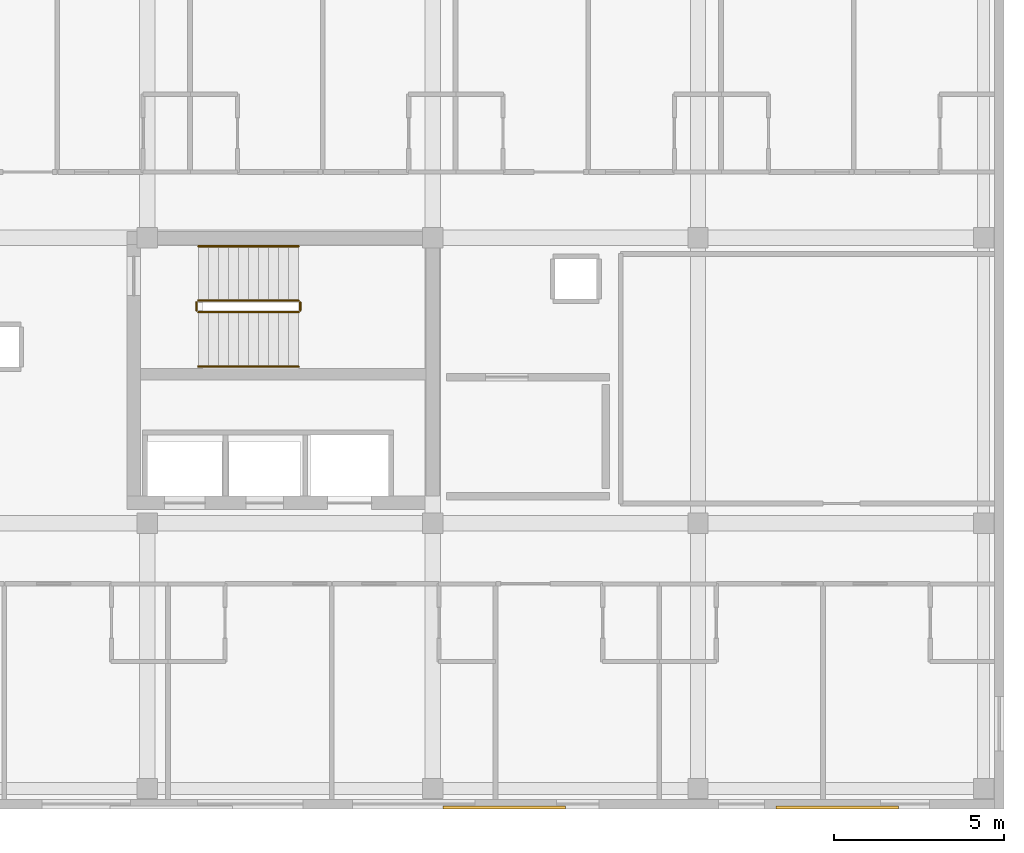
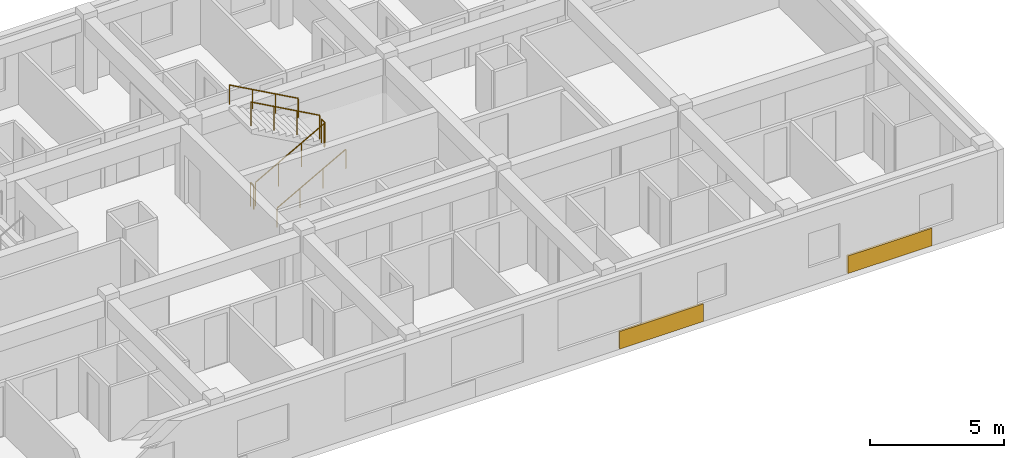
# One storey, part 9 of 9: 6 railings, 2 coverings.
"""IFC4 building model written with IfcOpenShell, lengths in metres."""

from ifc_helpers import new_model, si_unit, direction, frame, origin, origin_2d, place, context, subcontext, project, spatial, rectangle, circle, extrude, material, layer, layer_set, type_object, element, save


model = new_model("IFC4")

# Units and contexts
model_context = context("Model", 3, precision=1e-05, world=origin(), true_north=direction((0.0, 1.0)))
body_context = subcontext(model_context, "Body", "Model", "MODEL_VIEW")
ifc_project = project(units=[si_unit("LENGTHUNIT", "METRE"), si_unit("AREAUNIT", "SQUARE_METRE"), si_unit("VOLUMEUNIT", "CUBIC_METRE"), si_unit("PLANEANGLEUNIT", "RADIAN"), si_unit("MASSUNIT", "GRAM", prefix="KILO")], contexts=[model_context])

# Site, building, storey
site_placement = place(None, origin())
site = spatial("IfcSite", under=ifc_project, at=site_placement, CompositionType="ELEMENT")
building_placement = place(site_placement, origin())
building = spatial("IfcBuilding", under=site, at=building_placement, Name="Zayran Congress Hotel", CompositionType="ELEMENT")
storey_placement = place(building_placement, frame((0.0, 0.0, 37.199951171875)))
storey = spatial("IfcBuildingStorey", under=building, at=storey_placement, Name="L09", CompositionType="ELEMENT", Elevation=37.199951171875)

# Coverings
ifc_material_1 = material(Name="Ochre geometric bas-relief Hajar Ma'ani stone", Category="masonry")
ifc_layer = layer(ifc_material_1, 0.090087890625)
ifc_layer_set = layer_set([ifc_layer], Name="Ochre geometric bas-relief Hajar Ma'ani stone")
covering_type = type_object("IfcCoveringType", Name="TP-CLD-01", PredefinedType="CLADDING", material=ifc_layer_set)
for number, where, z_axis, x_axis, name in (
    (1, (60.89990234375, 8.844970703125, 0.0), (0.0, 0.0, 1.0), (1.0, 0.0, 0.0), "CLD-V5S-L09-4"),
    (2, (70.699951171875, 8.844970703125, 0.0), (0.0, 0.0, 1.0), (1.0, 0.0, 0.0), "CLD-V5S-L09-5"),
):
    element("IfcCovering", number, at=place(storey_placement, frame(where, z_axis=z_axis, x_axis=x_axis)), inside=storey, type_object=covering_type, Name=name, PredefinedType="CLADDING", context=body_context, shape_type="SweptSolid", body=[
        extrude(rectangle(XDim=3.60009765625, YDim=0.090087890625, at=origin_2d()), origin(), (0.0, 0.0, 1.0), 0.800048828125),
    ])

# Railings
ifc_material_2 = material(Name="Painted steel balustrade", Category="steel")
railing_type_1 = type_object("IfcRailingType", Name="TP-GRD-INT", PredefinedType="GUARDRAIL", material=ifc_material_2)
railing_1_placement = place(storey_placement, frame((51.89990234375, 23.409912109375, 0.16357421875)))
element("IfcRailing", 3, at=railing_1_placement, inside=storey, type_object=railing_type_1, Name="L09 ST-02 stair guard 1", PredefinedType="GUARDRAIL", context=body_context, shape_type="SweptSolid", body=[
    extrude(circle(Radius=0.02392578125, at=origin_2d()), frame((0.0, 0.0, 1.076171875), z_axis=(0.87447454536, 0.0, 0.485071406616), x_axis=(0.0, 1.0, 0.0)), (0.0, 0.0, 1.0), 3.373779296875),
    extrude(circle(Radius=0.02099609375, at=origin_2d()), origin(), (0.0, 0.0, 1.0), 1.052001953125),
    extrude(circle(Radius=0.02099609375, at=origin_2d()), frame((0.9833984375, 0.0, 0.54541015625)), (0.0, 0.0, 1.0), 1.052001953125),
    extrude(circle(Radius=0.02099609375, at=origin_2d()), frame((1.966796875, 0.0, 1.091064453125)), (0.0, 0.0, 1.0), 1.052001953125),
    extrude(circle(Radius=0.02099609375, at=origin_2d()), frame((2.9501953125, 0.0, 1.636474609375)), (0.0, 0.0, 1.0), 1.052001953125),
])
railing_2_placement = place(storey_placement, frame((54.89990234375, 23.4599609375, 1.800048828125)))
element("IfcRailing", 4, at=railing_2_placement, inside=storey, type_object=railing_type_1, Name="L09 ST-02 stair guard 2", PredefinedType="GUARDRAIL", context=body_context, shape_type="SweptSolid", body=[
    extrude(circle(Radius=0.02392578125, at=origin_2d()), frame((0.0, 0.0, 1.076171875), z_axis=(0.0, 1.0, 0.0), x_axis=(-1.0, 0.0, 0.0)), (0.0, 0.0, 1.0), 0.239990234375),
    extrude(circle(Radius=0.02099609375, at=origin_2d()), origin(), (0.0, 0.0, 1.0), 1.052001953125),
    extrude(circle(Radius=0.02099609375, at=origin_2d()), frame((0.0, 0.239990234375, 0.0)), (0.0, 0.0, 1.0), 1.052001953125),
])
railing_3_placement = place(storey_placement, frame((54.85009765625, 23.75, 1.963623046875)))
element("IfcRailing", 5, at=railing_3_placement, inside=storey, type_object=railing_type_1, Name="L09 ST-02 stair guard 3", PredefinedType="GUARDRAIL", context=body_context, shape_type="SweptSolid", body=[
    extrude(circle(Radius=0.02392578125, at=origin_2d()), frame((0.0, 0.0, 1.076171875), z_axis=(-0.87447454536, 0.0, 0.485071406616), x_axis=(0.0, -1.0, 0.0)), (0.0, 0.0, 1.0), 3.373779296875),
    extrude(circle(Radius=0.02099609375, at=origin_2d()), origin(), (0.0, 0.0, 1.0), 1.052001953125),
    extrude(circle(Radius=0.02099609375, at=origin_2d()), frame((-0.9833984375, 0.0, 0.54541015625)), (0.0, 0.0, 1.0), 1.052001953125),
    extrude(circle(Radius=0.02099609375, at=origin_2d()), frame((-1.966796875, 0.0, 1.091064453125)), (0.0, 0.0, 1.0), 1.052001953125),
    extrude(circle(Radius=0.02099609375, at=origin_2d()), frame((-2.9501953125, 0.0, 1.636474609375)), (0.0, 0.0, 1.0), 1.052001953125),
])
railing_4_placement = place(storey_placement, frame((51.85009765625, 23.4599609375, 0.0)))
element("IfcRailing", 6, at=railing_4_placement, inside=storey, type_object=railing_type_1, Name="L09 ST-02 stair guard 4", PredefinedType="GUARDRAIL", context=body_context, shape_type="SweptSolid", body=[
    extrude(circle(Radius=0.02392578125, at=origin_2d()), frame((0.0, 0.0, 1.076171875), z_axis=(0.0, 1.0, 0.0), x_axis=(-1.0, 0.0, 0.0)), (0.0, 0.0, 1.0), 0.239990234375),
    extrude(circle(Radius=0.02099609375, at=origin_2d()), origin(), (0.0, 0.0, 1.0), 1.052001953125),
    extrude(circle(Radius=0.02099609375, at=origin_2d()), frame((0.0, 0.239990234375, 0.0)), (0.0, 0.0, 1.0), 1.052001953125),
])
ifc_material_3 = material(Name="Brushed stainless steel handrail", Category="steel")
railing_type_2 = type_object("IfcRailingType", Name="TP-HND-STR", PredefinedType="HANDRAIL", material=ifc_material_3)
railing_5_placement = place(storey_placement, frame((51.89990234375, 21.81005859375, 0.16357421875)))
element("IfcRailing", 7, at=railing_5_placement, inside=storey, type_object=railing_type_2, Name="L09 ST-02 stair handrail 1", PredefinedType="HANDRAIL", context=body_context, shape_type="SweptSolid", body=[
    extrude(circle(Radius=0.02392578125, at=origin_2d()), frame((0.0, 0.0, 0.8759765625), z_axis=(0.87447454536, 0.0, 0.485071406616), x_axis=(0.0, 1.0, 0.0)), (0.0, 0.0, 1.0), 3.373779296875),
    extrude(circle(Radius=0.02099609375, at=origin_2d()), origin(), (0.0, 0.0, 1.0), 0.851806640625),
    extrude(circle(Radius=0.02099609375, at=origin_2d()), frame((0.9833984375, 0.0, 0.54541015625)), (0.0, 0.0, 1.0), 0.851806640625),
    extrude(circle(Radius=0.02099609375, at=origin_2d()), frame((1.966796875, 0.0, 1.091064453125)), (0.0, 0.0, 1.0), 0.851806640625),
    extrude(circle(Radius=0.02099609375, at=origin_2d()), frame((2.9501953125, 0.0, 1.636474609375)), (0.0, 0.0, 1.0), 0.851806640625),
])
railing_6_placement = place(storey_placement, frame((54.85009765625, 25.35009765625, 1.963623046875)))
element("IfcRailing", 8, at=railing_6_placement, inside=storey, type_object=railing_type_2, Name="L09 ST-02 stair handrail 2", PredefinedType="HANDRAIL", context=body_context, shape_type="SweptSolid", body=[
    extrude(circle(Radius=0.02392578125, at=origin_2d()), frame((0.0, 0.0, 0.8759765625), z_axis=(-0.87447454536, 0.0, 0.485071406616), x_axis=(0.0, -1.0, 0.0)), (0.0, 0.0, 1.0), 3.373779296875),
    extrude(circle(Radius=0.02099609375, at=origin_2d()), origin(), (0.0, 0.0, 1.0), 0.851806640625),
    extrude(circle(Radius=0.02099609375, at=origin_2d()), frame((-0.9833984375, 0.0, 0.54541015625)), (0.0, 0.0, 1.0), 0.851806640625),
    extrude(circle(Radius=0.02099609375, at=origin_2d()), frame((-1.966796875, 0.0, 1.091064453125)), (0.0, 0.0, 1.0), 0.851806640625),
    extrude(circle(Radius=0.02099609375, at=origin_2d()), frame((-2.9501953125, 0.0, 1.636474609375)), (0.0, 0.0, 1.0), 0.851806640625),
])

save(model, "model.ifc")
